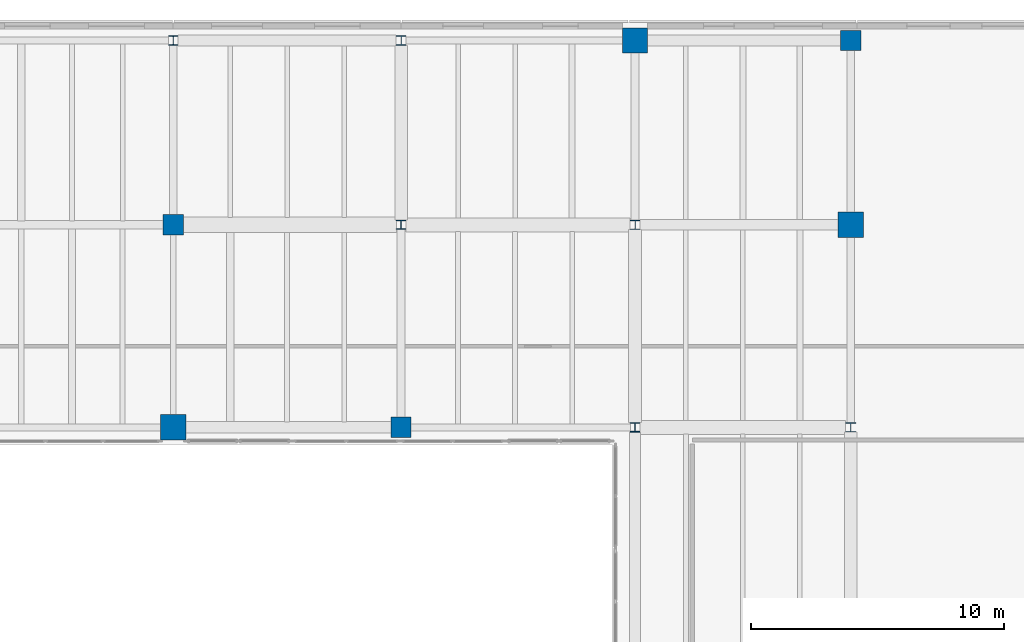
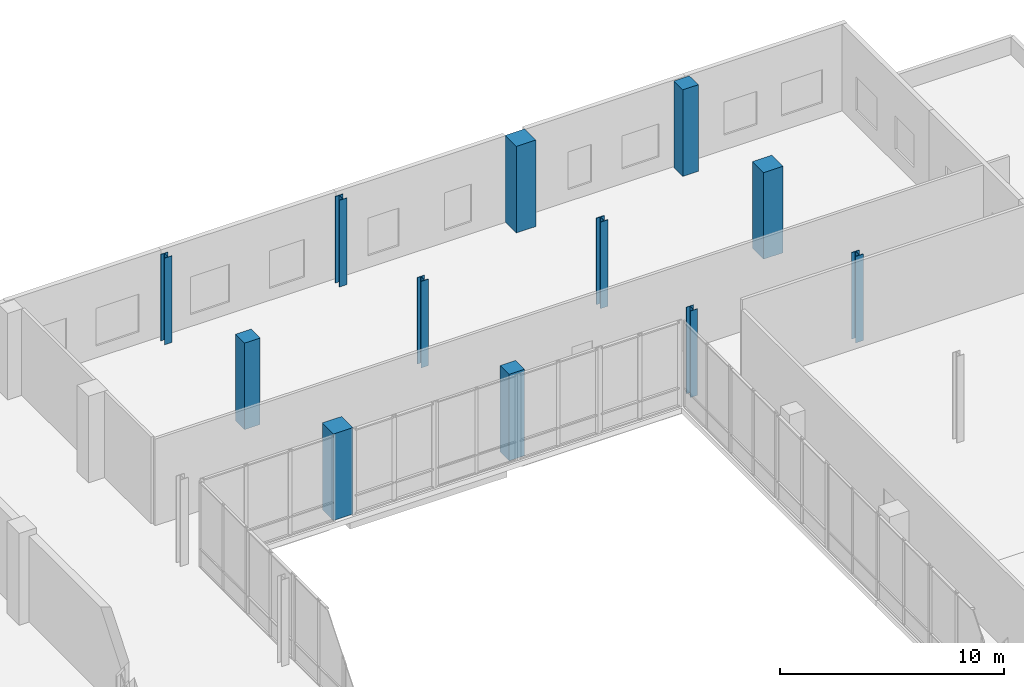
# One storey, part 14 of 73: 12 columns.
"""IFC4 building model written with IfcOpenShell, lengths in metres."""

from ifc_helpers import new_model, si_unit, direction, frame, origin, origin_2d, place, context, subcontext, project, spatial, rectangle, i_section, extrude, material, material_profile, profile_set, type_object, element, save


model = new_model("IFC4")

# Units and contexts
model_context = context("Model", 3, precision=1e-05, world=origin(), true_north=direction((0.0, 1.0)))
body_context = subcontext(model_context, "Body", "Model", "MODEL_VIEW")
ifc_project = project(units=[si_unit("LENGTHUNIT", "METRE"), si_unit("AREAUNIT", "SQUARE_METRE"), si_unit("VOLUMEUNIT", "CUBIC_METRE"), si_unit("PLANEANGLEUNIT", "RADIAN"), si_unit("MASSUNIT", "GRAM", prefix="KILO")], contexts=[model_context])

# Site, building, storey
site_placement = place(None, origin())
site = spatial("IfcSite", under=ifc_project, at=site_placement, CompositionType="ELEMENT")
building_placement = place(site_placement, origin())
building = spatial("IfcBuilding", under=site, at=building_placement, Name="Trimount Lyric Opera House", CompositionType="ELEMENT")
storey_placement = place(building_placement, frame((0.0, 0.0, 10.0)))
storey = spatial("IfcBuildingStorey", under=building, at=storey_placement, Name="L02", CompositionType="ELEMENT", Elevation=10.0)

# Columns
ifc_material_1 = material(Name="Steel ASTM A992 Grade 50", Category="steel")
ifc_material_profile_1 = material_profile(ifc_material_1, i_section(OverallWidth=0.39892578125, OverallDepth=0.385986328125, WebThickness=0.02099609375, FlangeThickness=0.033203125, FilletRadius=0.01611328125, at=origin_2d()), Name="W14X176")
ifc_profile_set_1 = profile_set([ifc_material_profile_1], Name="Steel ASTM A992 Grade 50")
column_type_1 = type_object("IfcColumnType", Name="C-03", PredefinedType="COLUMN", material=ifc_profile_set_1)
for number, where, z_axis, x_axis, name in (
    (1, (139.0, 117.280029296875, 0.0), (0.0, 0.0, 1.0), (1.0, 0.0, 0.0), "L02 column 16/P"),
    (2, (148.239990234375, 110.0, 0.0), (0.0, 0.0, 1.0), (1.0, 0.0, 0.0), "L02 column 17/N"),
    (3, (156.760009765625, 102.0, 0.0), (0.0, 0.0, 1.0), (1.0, 0.0, 0.0), "L02 column 18/M"),
):
    element("IfcColumn", number, at=place(storey_placement, frame(where, z_axis=z_axis, x_axis=x_axis)), inside=storey, type_object=column_type_1, Name=name, PredefinedType="COLUMN", context=body_context, shape_type="SweptSolid", body=[
        extrude(i_section(OverallWidth=0.39892578125, OverallDepth=0.385986328125, WebThickness=0.02099609375, FlangeThickness=0.033203125, FilletRadius=0.01611328125, at=origin_2d()), origin(), (0.0, 0.0, 1.0), 4.7099609375),
    ])
ifc_material_2 = material(Name="Steel ASTM A992 Grade 50", Category="steel")
ifc_material_profile_2 = material_profile(ifc_material_2, i_section(OverallWidth=0.373046875, OverallDepth=0.367919921875, WebThickness=0.014892578125, FlangeThickness=0.02392578125, FilletRadius=0.014892578125, at=origin_2d()), Name="W14X120")
ifc_profile_set_2 = profile_set([ifc_material_profile_2], Name="Steel ASTM A992 Grade 50")
column_type_2 = type_object("IfcColumnType", Name="C-08", PredefinedType="COLUMN", material=ifc_profile_set_2)
for number, where, z_axis, x_axis, name in (
    (4, (130.0, 117.280029296875, 0.0), (0.0, 0.0, 1.0), (1.0, 0.0, 0.0), "L02 column 15/P"),
    (5, (139.0, 110.0, 0.0), (0.0, 0.0, 1.0), (1.0, 0.0, 0.0), "L02 column 16/N"),
    (6, (148.239990234375, 102.0, 0.0), (0.0, 0.0, 1.0), (1.0, 0.0, 0.0), "L02 column 17/M"),
):
    element("IfcColumn", number, at=place(storey_placement, frame(where, z_axis=z_axis, x_axis=x_axis)), inside=storey, type_object=column_type_2, Name=name, PredefinedType="COLUMN", context=body_context, shape_type="SweptSolid", body=[
        extrude(i_section(OverallWidth=0.373046875, OverallDepth=0.367919921875, WebThickness=0.014892578125, FlangeThickness=0.02392578125, FilletRadius=0.014892578125, at=origin_2d()), origin(), (0.0, 0.0, 1.0), 4.7099609375),
    ])
ifc_material_3 = material(Name="Concrete C50/60", Category="concrete")
ifc_material_profile_3 = material_profile(ifc_material_3, rectangle(XDim=1.0, YDim=1.0, at=origin_2d()), Name="RC1000X1000")
ifc_profile_set_3 = profile_set([ifc_material_profile_3], Name="Concrete C50/60")
column_type_3 = type_object("IfcColumnType", Name="C-12", PredefinedType="COLUMN", material=ifc_profile_set_3)
for number, where, z_axis, x_axis, name in (
    (7, (130.0, 102.0, 0.0), (0.0, 0.0, 1.0), (1.0, 0.0, 0.0), "L02 column 15/M"),
    (8, (148.239990234375, 117.280029296875, 0.0), (0.0, 0.0, 1.0), (1.0, 0.0, 0.0), "L02 column 17/P"),
    (9, (156.760009765625, 110.0, 0.0), (0.0, 0.0, 1.0), (1.0, 0.0, 0.0), "L02 column 18/N"),
):
    element("IfcColumn", number, at=place(storey_placement, frame(where, z_axis=z_axis, x_axis=x_axis)), inside=storey, type_object=column_type_3, Name=name, PredefinedType="COLUMN", context=body_context, shape_type="SweptSolid", body=[
        extrude(rectangle(XDim=1.0, YDim=1.0, at=origin_2d()), origin(), (0.0, 0.0, 1.0), 4.7099609375),
    ])
ifc_material_4 = material(Name="Concrete C40/50", Category="concrete")
ifc_material_profile_4 = material_profile(ifc_material_4, rectangle(XDim=0.800048828125, YDim=0.800048828125, at=origin_2d()), Name="RC800X800")
ifc_profile_set_4 = profile_set([ifc_material_profile_4], Name="Concrete C40/50")
column_type_4 = type_object("IfcColumnType", Name="C-14", PredefinedType="COLUMN", material=ifc_profile_set_4)
for number, where, z_axis, x_axis, name in (
    (10, (130.0, 110.0, 0.0), (0.0, 0.0, 1.0), (1.0, 0.0, 0.0), "L02 column 15/N"),
    (11, (139.0, 102.0, 0.0), (0.0, 0.0, 1.0), (1.0, 0.0, 0.0), "L02 column 16/M"),
    (12, (156.760009765625, 117.280029296875, 0.0), (0.0, 0.0, 1.0), (1.0, 0.0, 0.0), "L02 column 18/P"),
):
    element("IfcColumn", number, at=place(storey_placement, frame(where, z_axis=z_axis, x_axis=x_axis)), inside=storey, type_object=column_type_4, Name=name, PredefinedType="COLUMN", context=body_context, shape_type="SweptSolid", body=[
        extrude(rectangle(XDim=0.800048828125, YDim=0.800048828125, at=origin_2d()), origin(), (0.0, 0.0, 1.0), 4.7099609375),
    ])

save(model, "model.ifc")
